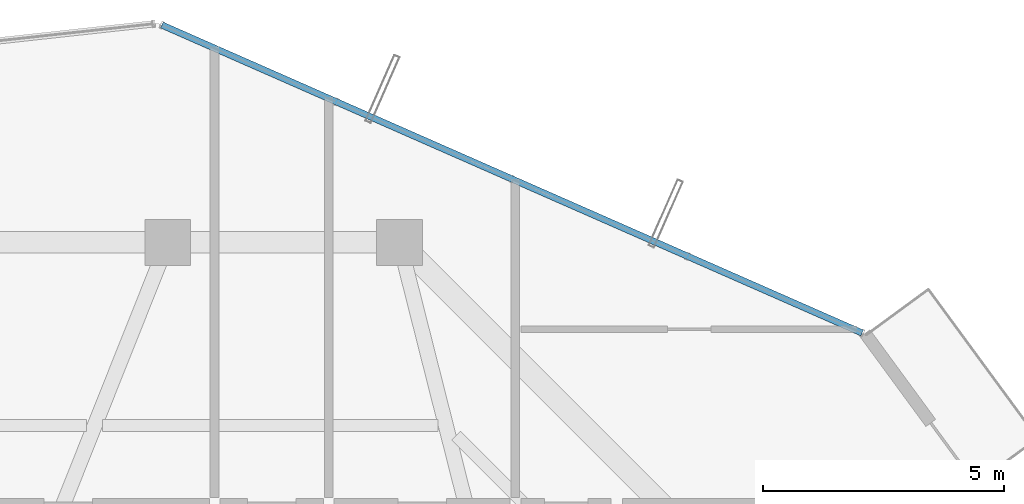
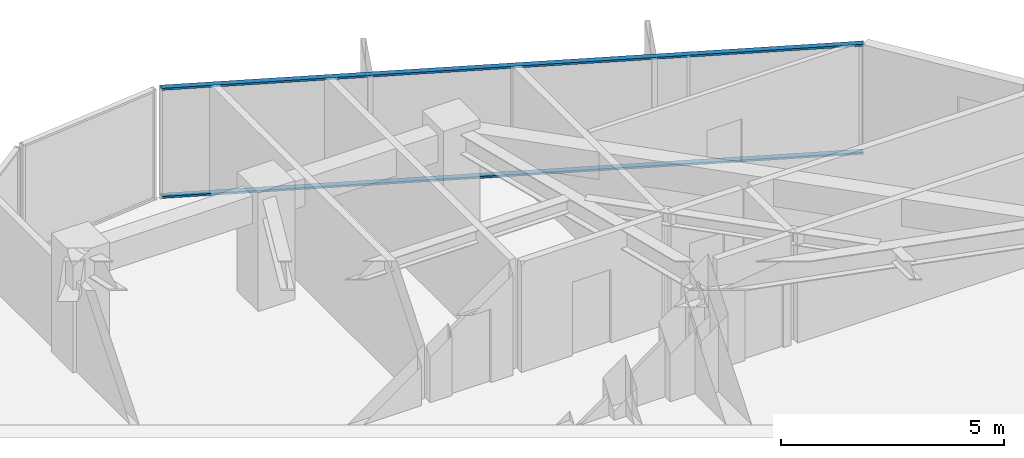
# One storey, part 25 of 32: 2 members, 1 element without a shape of its own.
"""IFC4 building model written with IfcOpenShell, lengths in metres."""

from ifc_helpers import new_model, si_unit, direction, frame, origin, origin_2d, place, context, subcontext, project, spatial, hollow_rectangle, extrude, source, transform, mapped, material, layer, layer_set, material_profile, profile_set, type_object, element, aggregate, save


model = new_model("IFC4")

# Units and contexts
model_context = context("Model", 3, precision=1e-05, world=origin(), true_north=direction((0.0, 1.0)))
body_context = subcontext(model_context, "Body", "Model", "MODEL_VIEW")
ifc_project = project(units=[si_unit("LENGTHUNIT", "METRE"), si_unit("AREAUNIT", "SQUARE_METRE"), si_unit("VOLUMEUNIT", "CUBIC_METRE"), si_unit("PLANEANGLEUNIT", "RADIAN"), si_unit("MASSUNIT", "GRAM", prefix="KILO")], contexts=[model_context])

# Site, building, storey
site_placement = place(None, origin())
site = spatial("IfcSite", under=ifc_project, at=site_placement, CompositionType="ELEMENT")
building_placement = place(site_placement, origin())
building = spatial("IfcBuilding", under=site, at=building_placement, Name="Veraguas Prism Commons", CompositionType="ELEMENT")
storey_placement = place(building_placement, frame((0.0, 0.0, 185.35009765625)))
storey = spatial("IfcBuildingStorey", under=building, at=storey_placement, Name="L52", CompositionType="ELEMENT", Elevation=185.35009765625)

# Curtain wall, members
ifc_material = material(Name="Anodised aluminium EN AW-6063 T6", Category="aluminium")
ifc_layer = layer(ifc_material, 0.14990234375, Name="Unitised Flush Curtain Wall Zone 3", Category="aluminium")
ifc_layer_set = layer_set([ifc_layer], Name="Anodised aluminium EN AW-6063 T6")
curtain_wall_type = type_object("IfcCurtainWallType", Name="Unitised Flush Curtain Wall Zone 3", PredefinedType="NOTDEFINED", material=ifc_layer_set)
curtain_wall_placement = place(storey_placement, origin())
curtain_wall = element("IfcCurtainWall", 1, at=curtain_wall_placement, inside=storey, type_object=curtain_wall_type, Name="Tower Facade Curtain Wall L52-F1", PredefinedType="NOTDEFINED")
ifc_material_profile = material_profile(ifc_material, hollow_rectangle(XDim=0.054931640625, YDim=0.135009765625, WallThickness=0.0029296875, at=origin_2d()), Name="AL55X135X3")
ifc_profile_set = profile_set([ifc_material_profile], Name="Anodised aluminium EN AW-6063 T6")
member_type = type_object("IfcMemberType", Name="Curtain Wall Transom Standard AL 55x135x3", PredefinedType="USERDEFINED", material=ifc_profile_set)
shared_shape = source(origin(), body_context, "Body", "SweptSolid", [
    extrude(hollow_rectangle(XDim=0.054931640625, YDim=0.135009765625, WallThickness=0.0029296875, at=origin_2d()), origin(), (0.0, 0.0, 1.0), 15.842529296875),
])
member_1_placement = place(storey_placement, frame((38.380859375, 37.022705078125, 0.02734375), z_axis=(-0.915383189045, 0.402583677283, 0.0), x_axis=(0.0, 0.0, 1.0)))
member_1 = element("IfcMember", 2, at=member_1_placement, type_object=member_type, Name="CW-Z3 Transom 1", ObjectType="TRANSOM", PredefinedType="USERDEFINED", context=body_context, shape_type="MappedRepresentation", body=[
    mapped(shared_shape, transform((0.0, 0.0, 0.0), scale=1.0)),
])
member_2_placement = place(storey_placement, frame((38.380859375, 37.022705078125, 2.9873046875), z_axis=(-0.915383189045, 0.402583677283, 0.0), x_axis=(0.0, 0.0, 1.0)))
member_2 = element("IfcMember", 3, at=member_2_placement, type_object=member_type, Name="CW-Z3 Transom 2", ObjectType="TRANSOM", PredefinedType="USERDEFINED", context=body_context, shape_type="MappedRepresentation", body=[
    mapped(shared_shape, transform((0.0, 0.0, 0.0), scale=1.0)),
])
aggregate(curtain_wall, [member_1, member_2])

save(model, "model.ifc")
